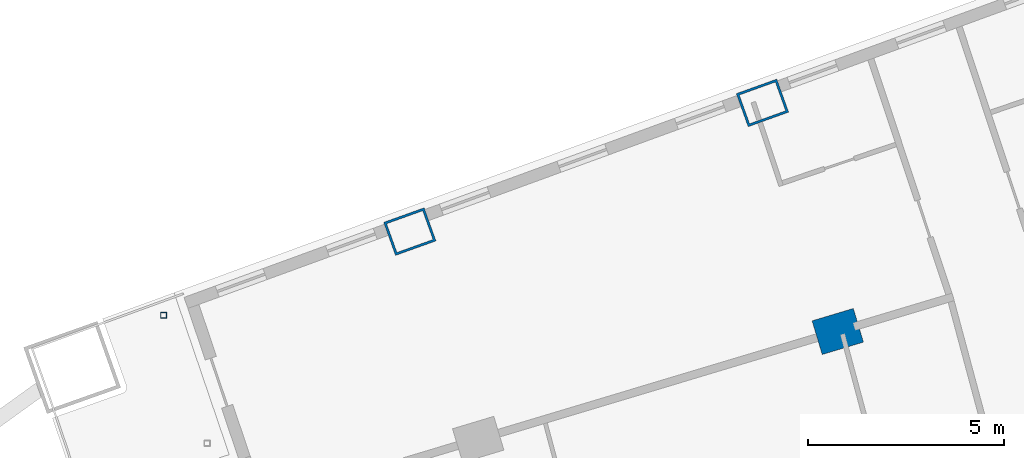
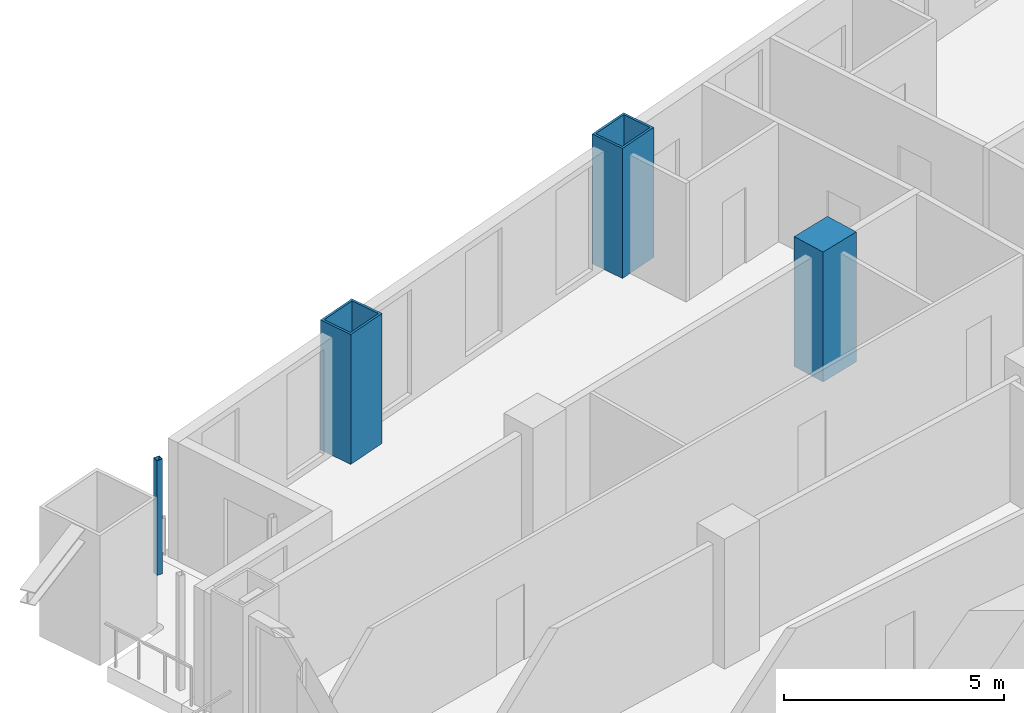
# One storey, part 9 of 25: 4 columns.
"""IFC4 building model written with IfcOpenShell, lengths in metres."""

import ifcopenshell
import ifcopenshell.guid

model = None  # the IFC model being written
_history = None  # IfcOwnerHistory: only IFC2X3 demands one
_inside = {}  # id of a spatial element -> (the spatial element, [elements in it])
_under = {}  # id of a project, library or spatial element -> (it, [spatial elements below it])
_declared = {}  # id of a project -> (the project, [libraries it declares])
_typed = {}  # id of a type object -> (the type object, [elements of that type])
_made_of = {}  # id of a material, layer set ... -> (it, [elements and type objects made of it])


def new_model(schema):
    """Start an empty IFC model of exactly this schema.

    Asked for "IFC4X3", IfcOpenShell would pick the latest addendum, in which some entities
    have other attributes; the version numbers below select the first issue.
    IFC2X3 requires an IfcOwnerHistory on every rooted entity: one is made here for all.
    """
    global model, _history
    if schema == "IFC4X3":
        model = ifcopenshell.file(schema_version=(4, 3, 0, 0))
    else:
        model = ifcopenshell.file(schema=schema)
    _inside.clear()
    _under.clear()
    _declared.clear()
    _typed.clear()
    _made_of.clear()
    _history = None
    if model.schema == "IFC2X3":
        org = make("IfcOrganization", Name="unknown")
        user = make(
            "IfcPersonAndOrganization",
            ThePerson=make("IfcPerson", FamilyName="unknown"),
            TheOrganization=org,
        )
        app = make(
            "IfcApplication",
            ApplicationDeveloper=org,
            Version="unknown",
            ApplicationFullName="unknown",
            ApplicationIdentifier="unknown",
        )
        _history = make(
            "IfcOwnerHistory",
            OwningUser=user,
            OwningApplication=app,
            ChangeAction="ADDED",
            CreationDate=0,
        )
    return model


def make(cls, **values):
    """One entity of the class cls with the attributes given. An attribute that is None is left unset."""
    return model.create_entity(
        cls, **{name: value for name, value in values.items() if value is not None}
    )


def rooted(cls, **values):
    """An entity with a GlobalId (a new one), such as an element, a storey or a relation."""
    return make(cls, GlobalId=ifcopenshell.guid.new(), OwnerHistory=_history, **values)


def si_unit(unit_type, name, prefix=None):
    """IfcSIUnit, for example si_unit("LENGTHUNIT", "METRE", prefix="MILLI")."""
    return make("IfcSIUnit", UnitType=unit_type, Prefix=prefix, Name=name)


def assignment(units):
    """IfcUnitAssignment: the units of a project."""
    return None if units is None else make("IfcUnitAssignment", Units=units)


def point(xyz):
    """IfcCartesianPoint."""
    return None if xyz is None else make("IfcCartesianPoint", Coordinates=xyz)


def direction(xyz):
    """IfcDirection."""
    return None if xyz is None else make("IfcDirection", DirectionRatios=xyz)


def frame(location, z_axis=None, x_axis=None):
    """IfcAxis2Placement3D, a coordinate frame: its origin and axes. An axis left out is left unset."""
    return make(
        "IfcAxis2Placement3D",
        Location=point(location),
        Axis=direction(z_axis),
        RefDirection=direction(x_axis),
    )


def frame_2d(location, x_axis=None):
    """IfcAxis2Placement2D, a coordinate frame in the plane: its origin and x axis."""
    return make(
        "IfcAxis2Placement2D", Location=point(location), RefDirection=direction(x_axis)
    )


def origin():
    """The frame at (0, 0, 0) with its axes left unset."""
    return frame((0.0, 0.0, 0.0))


def origin_2d():
    """The frame at (0, 0) in the plane with its x axis left unset."""
    return frame_2d((0.0, 0.0))


def place(relative_to, where):
    """IfcLocalPlacement: puts the frame where relative to a parent placement (None: the world)."""
    return make(
        "IfcLocalPlacement", PlacementRelTo=relative_to, RelativePlacement=where
    )


def context(
    kind, dimensions, precision=None, world=None, true_north=None, identifier=None
):
    """IfcGeometricRepresentationContext, for example the 3D "Model" context."""
    return make(
        "IfcGeometricRepresentationContext",
        ContextIdentifier=identifier,
        ContextType=kind,
        CoordinateSpaceDimension=dimensions,
        Precision=precision,
        WorldCoordinateSystem=world,
        TrueNorth=true_north,
    )


def subcontext(parent, identifier, kind, view, scale=None):
    """IfcGeometricRepresentationSubContext, for example "Body" below "Model"."""
    return make(
        "IfcGeometricRepresentationSubContext",
        ContextIdentifier=identifier,
        ContextType=kind,
        ParentContext=parent,
        TargetScale=scale,
        TargetView=view,
    )


def project(units=None, contexts=None):
    """IfcProject with its units and contexts."""
    return rooted(
        "IfcProject",
        Name="project",
        RepresentationContexts=contexts,
        UnitsInContext=assignment(units),
    )


def spatial(cls, under=None, at=None, **own):
    """A site, building, storey or space (cls), placed at a placement, below another one or the project."""
    s = rooted(cls, ObjectPlacement=at, **own)
    if under is not None:
        _under.setdefault(under.id(), (under, []))[1].append(s)
    return s


def profile(cls, at=None, kind="AREA", **sizes):
    """A parametric profile (cls). Its sizes go by their IFC names, for example OverallWidth=200.0."""
    return make(cls, ProfileType=kind, Position=at, **sizes)


def rectangle(**sizes):
    """IfcRectangleProfileDef."""
    return profile("IfcRectangleProfileDef", **sizes)


def hollow_rectangle(**sizes):
    """IfcRectangleHollowProfileDef."""
    return profile("IfcRectangleHollowProfileDef", **sizes)


def extrude(swept, where, along, depth):
    """IfcExtrudedAreaSolid: the profile swept, set in the frame where, extruded along a direction by depth."""
    return make(
        "IfcExtrudedAreaSolid",
        SweptArea=swept,
        Position=where,
        ExtrudedDirection=direction(along),
        Depth=depth,
    )


def shape(context_of_items, identifier, shape_type, items):
    """IfcShapeRepresentation: the items that make up one representation, for example the "Body"."""
    return make(
        "IfcShapeRepresentation",
        ContextOfItems=context_of_items,
        RepresentationIdentifier=identifier,
        RepresentationType=shape_type,
        Items=items,
    )


def material(Name=None, Category=None):
    """IfcMaterial."""
    return make("IfcMaterial", Name=Name, Category=Category)


def material_profile(
    of_material, cross_section, Name=None, Category=None, Priority=None
):
    """IfcMaterialProfile: a cross section and its material."""
    return make(
        "IfcMaterialProfile",
        Name=Name,
        Material=of_material,
        Profile=cross_section,
        Priority=Priority,
        Category=Category,
    )


def profile_set(profiles, Name=None, composite=None):
    """IfcMaterialProfileSet."""
    return make(
        "IfcMaterialProfileSet",
        Name=Name,
        MaterialProfiles=profiles,
        CompositeProfile=composite,
    )


def made_of(thing, what):
    """Note that an element or type object is made of a material, layer set ...; save() writes the relation."""
    if what is not None:
        _made_of.setdefault(what.id(), (what, []))[1].append(thing)
    return thing


def type_object(cls, material=None, **own):
    """A type object (cls), such as IfcWallType, which elements share."""
    return made_of(rooted(cls, **own), material)


def element(
    cls,
    number,
    at=None,
    inside=None,
    cuts=None,
    type_object=None,
    material=None,
    context=None,
    identifier="Body",
    shape_type=None,
    held_by="IfcProductDefinitionShape",
    body=None,
    shapes=None,
    **own,
):
    """One element of the class cls, such as IfcWall. Its Tag is "e" and its number.

    at: its placement. inside: the storey or other place that contains it. cuts: it is an
    opening in that element (IfcRelVoidsElement). A single representation is given by context,
    identifier, shape_type and body (its items); several are given by shapes. held_by: the class
    of the entity that holds the representations. save() writes the other relations.
    """
    e = rooted(cls, Tag="e%d" % number, ObjectPlacement=at, **own)
    if body is not None:
        shapes = [shape(context, identifier, shape_type, body)]
    if shapes is not None:
        e.Representation = make(held_by, Representations=shapes)
    if inside is not None:
        _inside.setdefault(inside.id(), (inside, []))[1].append(e)
    if cuts is not None:
        rooted(
            "IfcRelVoidsElement", RelatingBuildingElement=cuts, RelatedOpeningElement=e
        )
    if type_object is not None:
        _typed.setdefault(type_object.id(), (type_object, []))[1].append(e)
    return made_of(e, material)


def aggregate(whole, parts):
    """IfcRelAggregates: a whole, such as a stair, and the parts it consists of."""
    return rooted("IfcRelAggregates", RelatingObject=whole, RelatedObjects=parts)


def save(model, path):
    """Write the relations noted so far, then the file.

    IfcRelAggregates (storeys below a building ...), IfcRelContainedInSpatialStructure (elements
    in a storey), IfcRelDefinesByType, IfcRelAssociatesMaterial and IfcRelDeclares: one each for
    every whole, place, type object, material and project.
    """
    for whole, parts in _under.values():
        aggregate(whole, parts)
    for where, things in _inside.values():
        rooted(
            "IfcRelContainedInSpatialStructure",
            RelatedElements=things,
            RelatingStructure=where,
        )
    for kind, things in _typed.values():
        rooted("IfcRelDefinesByType", RelatedObjects=things, RelatingType=kind)
    for what, things in _made_of.values():
        rooted("IfcRelAssociatesMaterial", RelatedObjects=things, RelatingMaterial=what)
    for by, libraries in _declared.values():
        rooted("IfcRelDeclares", RelatingContext=by, RelatedDefinitions=libraries)
    model.write(path)


model = new_model("IFC4")

# Units and contexts
model_context = context("Model", 3, precision=1e-05, world=origin(), true_north=direction((0.0, 1.0)))
body_context = subcontext(model_context, "Body", "Model", "MODEL_VIEW")
ifc_project = project(units=[si_unit("LENGTHUNIT", "METRE"), si_unit("AREAUNIT", "SQUARE_METRE"), si_unit("VOLUMEUNIT", "CUBIC_METRE"), si_unit("PLANEANGLEUNIT", "RADIAN"), si_unit("MASSUNIT", "GRAM", prefix="KILO")], contexts=[model_context])

# Site, building, storey
site_placement = place(None, origin())
site = spatial("IfcSite", under=ifc_project, at=site_placement, CompositionType="ELEMENT")
building_placement = place(site_placement, origin())
building = spatial("IfcBuilding", under=site, at=building_placement, Name="Alderwake Tower", CompositionType="ELEMENT")
storey_placement = place(building_placement, frame((0.0, 0.0, 68.0)))
storey = spatial("IfcBuildingStorey", under=building, at=storey_placement, Name="L16", CompositionType="ELEMENT", Elevation=68.0)

# Columns
ifc_material_1 = material(Name="Steel ASTM A572 Grade 50 concrete filled C70/85", Category="concrete")
ifc_material_profile_1 = material_profile(ifc_material_1, hollow_rectangle(XDim=0.89990234375, YDim=1.10009765625, WallThickness=0.06005859375, at=origin_2d()), Name="BOX 1100X900X60")
ifc_profile_set_1 = profile_set([ifc_material_profile_1], Name="Steel ASTM A572 Grade 50 concrete filled C70/85")
column_type_1 = type_object("IfcColumnType", Name="End column Z1", PredefinedType="COLUMN", material=ifc_profile_set_1)
for number, where, z_axis, x_axis, name in (
    (1, (19.965576171875, 96.8515625, 0.0), (0.0, 0.0, 1.0), (-0.337584879279, 0.9412950915, 0.0), "Column R13-C1"),
    (2, (28.983642578125, 100.143310546875, 0.0), (0.0, 0.0, 1.0), (-0.338026774049, 0.941136493834, 0.0), "Column R13-C2"),
):
    element("IfcColumn", number, at=place(storey_placement, frame(where, z_axis=z_axis, x_axis=x_axis)), inside=storey, type_object=column_type_1, Name=name, PredefinedType="COLUMN", context=body_context, shape_type="SweptSolid", body=[
        extrude(hollow_rectangle(XDim=0.89990234375, YDim=1.10009765625, WallThickness=0.06005859375, at=origin_2d()), origin(), (0.0, 0.0, 1.0), 3.60009765625),
    ])
ifc_material_2 = material(Name="Concrete C70/85", Category="concrete")
ifc_material_profile_2 = material_profile(ifc_material_2, rectangle(XDim=0.89990234375, YDim=1.10009765625, at=origin_2d()), Name="RC 1100X900")
ifc_profile_set_2 = profile_set([ifc_material_profile_2], Name="Concrete C70/85")
column_type_2 = type_object("IfcColumnType", Name="Interior column Z1", PredefinedType="COLUMN", material=ifc_profile_set_2)
column_1_placement = place(storey_placement, frame((30.9091796875, 94.298095703125, 0.0), z_axis=(0.0, 0.0, 1.0), x_axis=(-0.287549418125, 0.957765802342, 0.0)))
element("IfcColumn", 3, at=column_1_placement, inside=storey, type_object=column_type_2, Name="Column R12-C2", PredefinedType="COLUMN", context=body_context, shape_type="SweptSolid", body=[
    extrude(rectangle(XDim=0.89990234375, YDim=1.10009765625, at=origin_2d()), origin(), (0.0, 0.0, 1.0), 3.60009765625),
])
ifc_material_3 = material(Name="Steel ASTM A500 Grade C", Category="steel")
ifc_material_profile_3 = material_profile(ifc_material_3, hollow_rectangle(XDim=0.15234375, YDim=0.15234375, WallThickness=0.0087890625, at=origin_2d()), Name="HSS6X6X3/8")
ifc_profile_set_3 = profile_set([ifc_material_profile_3], Name="Steel ASTM A500 Grade C")
column_type_3 = type_object("IfcColumnType", Name="Light post HSS6X6X3/8", PredefinedType="COLUMN", material=ifc_profile_set_3)
column_2_placement = place(storey_placement, frame((13.66796875, 94.71240234375, 0.0), z_axis=(0.0, 0.0, 1.0), x_axis=(1.0, 0.0, 0.0)))
element("IfcColumn", 4, at=column_2_placement, inside=storey, type_object=column_type_3, Name="Terrace post RN2", PredefinedType="COLUMN", context=body_context, shape_type="SweptSolid", body=[
    extrude(hollow_rectangle(XDim=0.15234375, YDim=0.15234375, WallThickness=0.0087890625, at=origin_2d()), origin(), (0.0, 0.0, 1.0), 3.179931640625),
])

save(model, "model.ifc")
